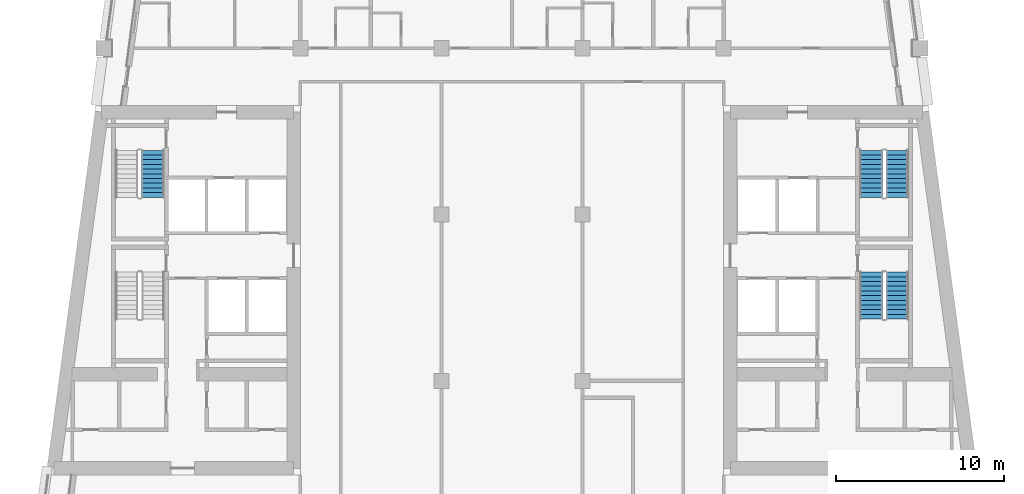
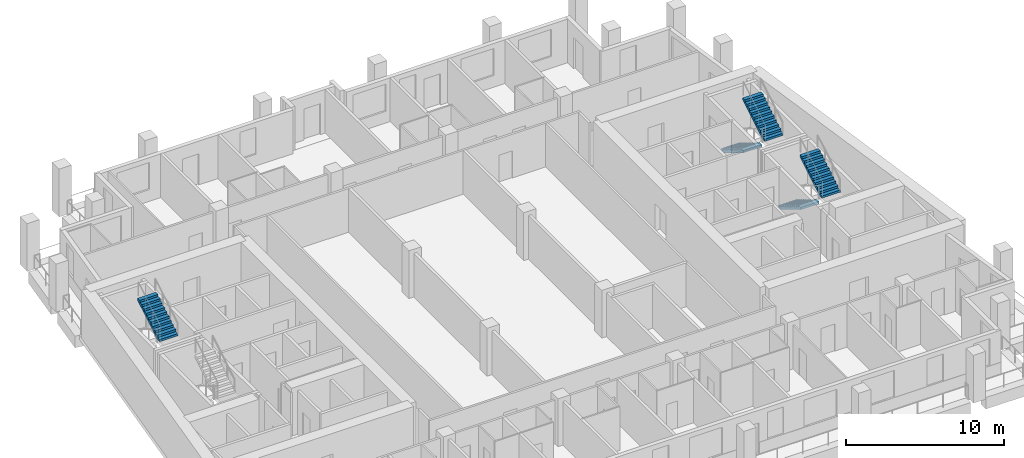
# One storey, part 8 of 13: 5 stair flights, 3 elements without a shape of their own.
"""IFC4 building model written with IfcOpenShell, lengths in metres."""

from ifc_helpers import new_model, si_unit, direction, frame, origin, place, context, subcontext, project, spatial, polyline, outline, extrude, material, type_object, element, aggregate, save


model = new_model("IFC4")

# Units and contexts
model_context = context("Model", 3, precision=1e-05, world=origin(), true_north=direction((0.0, 1.0)))
body_context = subcontext(model_context, "Body", "Model", "MODEL_VIEW")
ifc_project = project(units=[si_unit("LENGTHUNIT", "METRE"), si_unit("AREAUNIT", "SQUARE_METRE"), si_unit("VOLUMEUNIT", "CUBIC_METRE"), si_unit("PLANEANGLEUNIT", "RADIAN"), si_unit("MASSUNIT", "GRAM", prefix="KILO")], contexts=[model_context])

# Site, building, storey
site_placement = place(None, origin())
site = spatial("IfcSite", under=ifc_project, at=site_placement, CompositionType="ELEMENT")
building_placement = place(site_placement, origin())
building = spatial("IfcBuilding", under=site, at=building_placement, Name="Candeia Pilgrim Tower and Theatre", CompositionType="ELEMENT")
storey_placement = place(building_placement, frame((0.0, 0.0, 202.199951171875)))
storey = spatial("IfcBuildingStorey", under=building, at=storey_placement, Name="L48", CompositionType="ELEMENT", Elevation=202.199951171875)

# Stair, stair flight
ifc_material = material(Name="Concrete C40/50", Category="concrete")
stair_type = type_object("IfcStairType", Name="ST-TWR dog-leg escape stair", PredefinedType="HALF_TURN_STAIR", material=ifc_material)
stair_1_placement = place(storey_placement, origin())
stair_1 = element("IfcStair", 1, at=stair_1_placement, inside=storey, type_object=stair_type, Name="L48 Escape stair ST2", PredefinedType="HALF_TURN_STAIR")
stair_flight_type = type_object("IfcStairFlightType", Name="SFL-RC stair flight", PredefinedType="STRAIGHT", material=ifc_material)
stair_flight_1_placement = place(storey_placement, frame((92.027099609375, 126.925048828125, 1.85009765625), z_axis=(0.0, 0.0, 1.0), x_axis=(0.0, 1.0, 0.0)))
stair_flight_1 = element("IfcStairFlight", 2, at=stair_flight_1_placement, type_object=stair_flight_type, Name="ST2 flight 2", NumberOfRisers=11, NumberOfTreads=10, PredefinedType="STRAIGHT", RiserHeight=0.168181818, TreadLength=0.28, context=body_context, shape_type="SweptSolid", body=[
    extrude(outline(polyline([(0.0, 0.0), (0.0, 0.168212890625), (0.280029296875, 0.168212890625), (0.280029296875, 0.33642578125), (0.56005859375, 0.33642578125), (0.56005859375, 0.504638671875), (0.840087890625, 0.504638671875), (0.840087890625, 0.672607421875), (1.1201171875, 0.672607421875), (1.1201171875, 0.8408203125), (1.39990234375, 0.8408203125), (1.39990234375, 1.009033203125), (1.679931640625, 1.009033203125), (1.679931640625, 1.17724609375), (1.9599609375, 1.17724609375), (1.9599609375, 1.345458984375), (2.239990234375, 1.345458984375), (2.239990234375, 1.513671875), (2.52001953125, 1.513671875), (2.52001953125, 1.681884765625), (2.800048828125, 1.681884765625), (2.800048828125, 1.85009765625), (2.800048828125, 1.5068359375), (0.291015625, 0.0), (0.0, 0.0)])), frame((0.0, 0.675048828125, 0.0), z_axis=(0.0, -1.0, 0.0), x_axis=(1.0, 0.0, 0.0)), (0.0, 0.0, 1.0), 1.35009765625),
])
aggregate(stair_1, [stair_flight_1])

# Stair, stair flights
stair_2_placement = place(storey_placement, origin())
stair_2 = element("IfcStair", 3, at=stair_2_placement, inside=storey, type_object=stair_type, Name="L48 Escape stair ST3", PredefinedType="HALF_TURN_STAIR")
stair_flight_2_placement = place(storey_placement, frame((134.77294921875, 122.47509765625, 0.0), z_axis=(0.0, 0.0, 1.0), x_axis=(0.0, -1.0, 0.0)))
stair_flight_2 = element("IfcStairFlight", 4, at=stair_flight_2_placement, type_object=stair_flight_type, Name="ST3 flight 1", NumberOfRisers=11, NumberOfTreads=10, PredefinedType="STRAIGHT", RiserHeight=0.168181818, TreadLength=0.28, context=body_context, shape_type="SweptSolid", body=[
    extrude(outline(polyline([(0.0, 0.0), (0.0, 0.168212890625), (0.280029296875, 0.168212890625), (0.280029296875, 0.33642578125), (0.56005859375, 0.33642578125), (0.56005859375, 0.504638671875), (0.840087890625, 0.504638671875), (0.840087890625, 0.672607421875), (1.1201171875, 0.672607421875), (1.1201171875, 0.8408203125), (1.39990234375, 0.8408203125), (1.39990234375, 1.009033203125), (1.679931640625, 1.009033203125), (1.679931640625, 1.17724609375), (1.9599609375, 1.17724609375), (1.9599609375, 1.345458984375), (2.239990234375, 1.345458984375), (2.239990234375, 1.513671875), (2.52001953125, 1.513671875), (2.52001953125, 1.681884765625), (2.800048828125, 1.681884765625), (2.800048828125, 1.85009765625), (2.800048828125, 1.5068359375), (0.291015625, 0.0), (0.0, 0.0)])), frame((0.0, 0.675048828125, 0.0), z_axis=(0.0, -1.0, 0.0), x_axis=(1.0, 0.0, 0.0)), (0.0, 0.0, 1.0), 1.35009765625),
])
stair_flight_3_placement = place(storey_placement, frame((136.322998046875, 119.675048828125, 1.85009765625), z_axis=(0.0, 0.0, 1.0), x_axis=(0.0, 1.0, 0.0)))
stair_flight_3 = element("IfcStairFlight", 5, at=stair_flight_3_placement, type_object=stair_flight_type, Name="ST3 flight 2", NumberOfRisers=11, NumberOfTreads=10, PredefinedType="STRAIGHT", RiserHeight=0.168181818, TreadLength=0.28, context=body_context, shape_type="SweptSolid", body=[
    extrude(outline(polyline([(0.0, 0.0), (0.0, 0.168212890625), (0.280029296875, 0.168212890625), (0.280029296875, 0.33642578125), (0.56005859375, 0.33642578125), (0.56005859375, 0.504638671875), (0.840087890625, 0.504638671875), (0.840087890625, 0.672607421875), (1.1201171875, 0.672607421875), (1.1201171875, 0.8408203125), (1.39990234375, 0.8408203125), (1.39990234375, 1.009033203125), (1.679931640625, 1.009033203125), (1.679931640625, 1.17724609375), (1.9599609375, 1.17724609375), (1.9599609375, 1.345458984375), (2.239990234375, 1.345458984375), (2.239990234375, 1.513671875), (2.52001953125, 1.513671875), (2.52001953125, 1.681884765625), (2.800048828125, 1.681884765625), (2.800048828125, 1.85009765625), (2.800048828125, 1.5068359375), (0.291015625, 0.0), (0.0, 0.0)])), frame((0.0, 0.675048828125, 0.0), z_axis=(0.0, -1.0, 0.0), x_axis=(1.0, 0.0, 0.0)), (0.0, 0.0, 1.0), 1.35009765625),
])
aggregate(stair_2, [stair_flight_2, stair_flight_3])

stair_3_placement = place(storey_placement, origin())
stair_3 = element("IfcStair", 6, at=stair_3_placement, inside=storey, type_object=stair_type, Name="L48 Escape stair ST4", PredefinedType="HALF_TURN_STAIR")
stair_flight_4_placement = place(storey_placement, frame((134.77294921875, 129.72509765625, 0.0), z_axis=(0.0, 0.0, 1.0), x_axis=(0.0, -1.0, 0.0)))
stair_flight_4 = element("IfcStairFlight", 7, at=stair_flight_4_placement, type_object=stair_flight_type, Name="ST4 flight 1", NumberOfRisers=11, NumberOfTreads=10, PredefinedType="STRAIGHT", RiserHeight=0.168181818, TreadLength=0.28, context=body_context, shape_type="SweptSolid", body=[
    extrude(outline(polyline([(0.0, 0.0), (0.0, 0.168212890625), (0.280029296875, 0.168212890625), (0.280029296875, 0.33642578125), (0.56005859375, 0.33642578125), (0.56005859375, 0.504638671875), (0.840087890625, 0.504638671875), (0.840087890625, 0.672607421875), (1.1201171875, 0.672607421875), (1.1201171875, 0.8408203125), (1.39990234375, 0.8408203125), (1.39990234375, 1.009033203125), (1.679931640625, 1.009033203125), (1.679931640625, 1.17724609375), (1.9599609375, 1.17724609375), (1.9599609375, 1.345458984375), (2.239990234375, 1.345458984375), (2.239990234375, 1.513671875), (2.52001953125, 1.513671875), (2.52001953125, 1.681884765625), (2.800048828125, 1.681884765625), (2.800048828125, 1.85009765625), (2.800048828125, 1.5068359375), (0.291015625, 0.0), (0.0, 0.0)])), frame((0.0, 0.675048828125, 0.0), z_axis=(0.0, -1.0, 0.0), x_axis=(1.0, 0.0, 0.0)), (0.0, 0.0, 1.0), 1.35009765625),
])
stair_flight_5_placement = place(storey_placement, frame((136.322998046875, 126.925048828125, 1.85009765625), z_axis=(0.0, 0.0, 1.0), x_axis=(0.0, 1.0, 0.0)))
stair_flight_5 = element("IfcStairFlight", 8, at=stair_flight_5_placement, type_object=stair_flight_type, Name="ST4 flight 2", NumberOfRisers=11, NumberOfTreads=10, PredefinedType="STRAIGHT", RiserHeight=0.168181818, TreadLength=0.28, context=body_context, shape_type="SweptSolid", body=[
    extrude(outline(polyline([(0.0, 0.0), (0.0, 0.168212890625), (0.280029296875, 0.168212890625), (0.280029296875, 0.33642578125), (0.56005859375, 0.33642578125), (0.56005859375, 0.504638671875), (0.840087890625, 0.504638671875), (0.840087890625, 0.672607421875), (1.1201171875, 0.672607421875), (1.1201171875, 0.8408203125), (1.39990234375, 0.8408203125), (1.39990234375, 1.009033203125), (1.679931640625, 1.009033203125), (1.679931640625, 1.17724609375), (1.9599609375, 1.17724609375), (1.9599609375, 1.345458984375), (2.239990234375, 1.345458984375), (2.239990234375, 1.513671875), (2.52001953125, 1.513671875), (2.52001953125, 1.681884765625), (2.800048828125, 1.681884765625), (2.800048828125, 1.85009765625), (2.800048828125, 1.5068359375), (0.291015625, 0.0), (0.0, 0.0)])), frame((0.0, 0.675048828125, 0.0), z_axis=(0.0, -1.0, 0.0), x_axis=(1.0, 0.0, 0.0)), (0.0, 0.0, 1.0), 1.35009765625),
])
aggregate(stair_3, [stair_flight_4, stair_flight_5])

save(model, "model.ifc")
